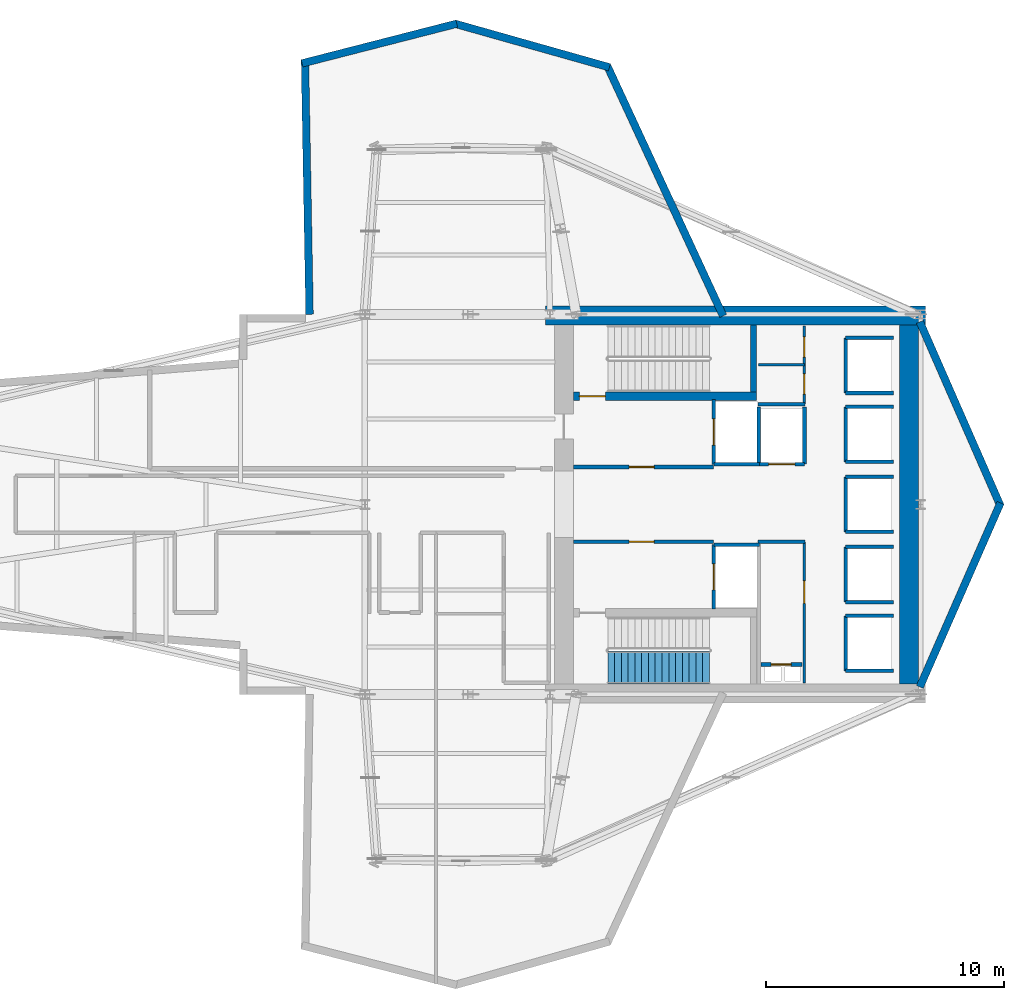
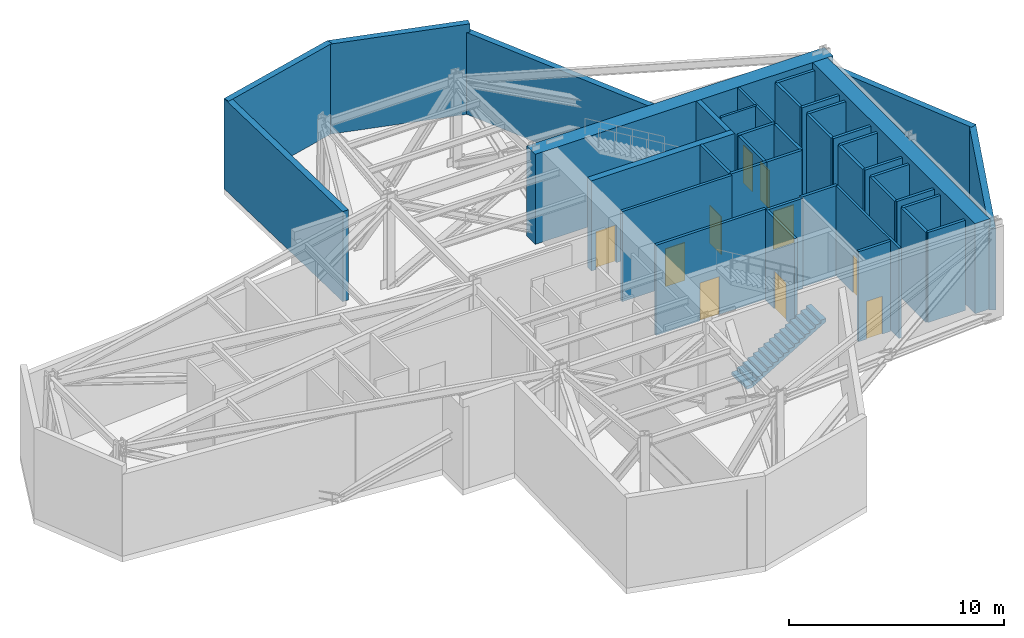
# One storey, part 4 of 6: 40 walls, 10 doors, 1 stair flight, 10 openings, 1 element without a shape of its own.
"""IFC4 building model written with IfcOpenShell, lengths in metres."""

import ifcopenshell
import ifcopenshell.guid

model = None  # the IFC model being written
_history = None  # IfcOwnerHistory: only IFC2X3 demands one
_inside = {}  # id of a spatial element -> (the spatial element, [elements in it])
_under = {}  # id of a project, library or spatial element -> (it, [spatial elements below it])
_declared = {}  # id of a project -> (the project, [libraries it declares])
_typed = {}  # id of a type object -> (the type object, [elements of that type])
_made_of = {}  # id of a material, layer set ... -> (it, [elements and type objects made of it])


def new_model(schema):
    """Start an empty IFC model of exactly this schema.

    Asked for "IFC4X3", IfcOpenShell would pick the latest addendum, in which some entities
    have other attributes; the version numbers below select the first issue.
    IFC2X3 requires an IfcOwnerHistory on every rooted entity: one is made here for all.
    """
    global model, _history
    if schema == "IFC4X3":
        model = ifcopenshell.file(schema_version=(4, 3, 0, 0))
    else:
        model = ifcopenshell.file(schema=schema)
    _inside.clear()
    _under.clear()
    _declared.clear()
    _typed.clear()
    _made_of.clear()
    _history = None
    if model.schema == "IFC2X3":
        org = make("IfcOrganization", Name="unknown")
        user = make(
            "IfcPersonAndOrganization",
            ThePerson=make("IfcPerson", FamilyName="unknown"),
            TheOrganization=org,
        )
        app = make(
            "IfcApplication",
            ApplicationDeveloper=org,
            Version="unknown",
            ApplicationFullName="unknown",
            ApplicationIdentifier="unknown",
        )
        _history = make(
            "IfcOwnerHistory",
            OwningUser=user,
            OwningApplication=app,
            ChangeAction="ADDED",
            CreationDate=0,
        )
    return model


def make(cls, **values):
    """One entity of the class cls with the attributes given. An attribute that is None is left unset."""
    return model.create_entity(
        cls, **{name: value for name, value in values.items() if value is not None}
    )


def rooted(cls, **values):
    """An entity with a GlobalId (a new one), such as an element, a storey or a relation."""
    return make(cls, GlobalId=ifcopenshell.guid.new(), OwnerHistory=_history, **values)


def si_unit(unit_type, name, prefix=None):
    """IfcSIUnit, for example si_unit("LENGTHUNIT", "METRE", prefix="MILLI")."""
    return make("IfcSIUnit", UnitType=unit_type, Prefix=prefix, Name=name)


def assignment(units):
    """IfcUnitAssignment: the units of a project."""
    return None if units is None else make("IfcUnitAssignment", Units=units)


def point(xyz):
    """IfcCartesianPoint."""
    return None if xyz is None else make("IfcCartesianPoint", Coordinates=xyz)


def direction(xyz):
    """IfcDirection."""
    return None if xyz is None else make("IfcDirection", DirectionRatios=xyz)


def frame(location, z_axis=None, x_axis=None):
    """IfcAxis2Placement3D, a coordinate frame: its origin and axes. An axis left out is left unset."""
    return make(
        "IfcAxis2Placement3D",
        Location=point(location),
        Axis=direction(z_axis),
        RefDirection=direction(x_axis),
    )


def frame_2d(location, x_axis=None):
    """IfcAxis2Placement2D, a coordinate frame in the plane: its origin and x axis."""
    return make(
        "IfcAxis2Placement2D", Location=point(location), RefDirection=direction(x_axis)
    )


def origin():
    """The frame at (0, 0, 0) with its axes left unset."""
    return frame((0.0, 0.0, 0.0))


def place(relative_to, where):
    """IfcLocalPlacement: puts the frame where relative to a parent placement (None: the world)."""
    return make(
        "IfcLocalPlacement", PlacementRelTo=relative_to, RelativePlacement=where
    )


def context(
    kind, dimensions, precision=None, world=None, true_north=None, identifier=None
):
    """IfcGeometricRepresentationContext, for example the 3D "Model" context."""
    return make(
        "IfcGeometricRepresentationContext",
        ContextIdentifier=identifier,
        ContextType=kind,
        CoordinateSpaceDimension=dimensions,
        Precision=precision,
        WorldCoordinateSystem=world,
        TrueNorth=true_north,
    )


def subcontext(parent, identifier, kind, view, scale=None):
    """IfcGeometricRepresentationSubContext, for example "Body" below "Model"."""
    return make(
        "IfcGeometricRepresentationSubContext",
        ContextIdentifier=identifier,
        ContextType=kind,
        ParentContext=parent,
        TargetScale=scale,
        TargetView=view,
    )


def project(units=None, contexts=None):
    """IfcProject with its units and contexts."""
    return rooted(
        "IfcProject",
        Name="project",
        RepresentationContexts=contexts,
        UnitsInContext=assignment(units),
    )


def spatial(cls, under=None, at=None, **own):
    """A site, building, storey or space (cls), placed at a placement, below another one or the project."""
    s = rooted(cls, ObjectPlacement=at, **own)
    if under is not None:
        _under.setdefault(under.id(), (under, []))[1].append(s)
    return s


def polyline(points):
    """IfcPolyline through the points."""
    return make("IfcPolyline", Points=[point(p) for p in points])


def profile(cls, at=None, kind="AREA", **sizes):
    """A parametric profile (cls). Its sizes go by their IFC names, for example OverallWidth=200.0."""
    return make(cls, ProfileType=kind, Position=at, **sizes)


def rectangle(**sizes):
    """IfcRectangleProfileDef."""
    return profile("IfcRectangleProfileDef", **sizes)


def outline(outer, holes=None, kind="AREA"):
    """IfcArbitraryClosedProfileDef: a profile drawn as a closed curve; with holes, ...WithVoids."""
    if holes is None:
        return make("IfcArbitraryClosedProfileDef", ProfileType=kind, OuterCurve=outer)
    return make(
        "IfcArbitraryProfileDefWithVoids",
        ProfileType=kind,
        OuterCurve=outer,
        InnerCurves=holes,
    )


def extrude(swept, where, along, depth):
    """IfcExtrudedAreaSolid: the profile swept, set in the frame where, extruded along a direction by depth."""
    return make(
        "IfcExtrudedAreaSolid",
        SweptArea=swept,
        Position=where,
        ExtrudedDirection=direction(along),
        Depth=depth,
    )


def shape(context_of_items, identifier, shape_type, items):
    """IfcShapeRepresentation: the items that make up one representation, for example the "Body"."""
    return make(
        "IfcShapeRepresentation",
        ContextOfItems=context_of_items,
        RepresentationIdentifier=identifier,
        RepresentationType=shape_type,
        Items=items,
    )


def material(Name=None, Category=None):
    """IfcMaterial."""
    return make("IfcMaterial", Name=Name, Category=Category)


def layer(
    of_material, thickness, ventilated=None, Name=None, Category=None, Priority=None
):
    """IfcMaterialLayer: one layer of a wall or slab, of a material (None: an air gap)."""
    return make(
        "IfcMaterialLayer",
        Material=of_material,
        LayerThickness=thickness,
        IsVentilated=ventilated,
        Name=Name,
        Category=Category,
        Priority=Priority,
    )


def layer_set(layers, Name=None):
    """IfcMaterialLayerSet."""
    return make("IfcMaterialLayerSet", MaterialLayers=layers, LayerSetName=Name)


def made_of(thing, what):
    """Note that an element or type object is made of a material, layer set ...; save() writes the relation."""
    if what is not None:
        _made_of.setdefault(what.id(), (what, []))[1].append(thing)
    return thing


def type_object(cls, material=None, **own):
    """A type object (cls), such as IfcWallType, which elements share."""
    return made_of(rooted(cls, **own), material)


def element(
    cls,
    number,
    at=None,
    inside=None,
    cuts=None,
    type_object=None,
    material=None,
    context=None,
    identifier="Body",
    shape_type=None,
    held_by="IfcProductDefinitionShape",
    body=None,
    shapes=None,
    **own,
):
    """One element of the class cls, such as IfcWall. Its Tag is "e" and its number.

    at: its placement. inside: the storey or other place that contains it. cuts: it is an
    opening in that element (IfcRelVoidsElement). A single representation is given by context,
    identifier, shape_type and body (its items); several are given by shapes. held_by: the class
    of the entity that holds the representations. save() writes the other relations.
    """
    e = rooted(cls, Tag="e%d" % number, ObjectPlacement=at, **own)
    if body is not None:
        shapes = [shape(context, identifier, shape_type, body)]
    if shapes is not None:
        e.Representation = make(held_by, Representations=shapes)
    if inside is not None:
        _inside.setdefault(inside.id(), (inside, []))[1].append(e)
    if cuts is not None:
        rooted(
            "IfcRelVoidsElement", RelatingBuildingElement=cuts, RelatedOpeningElement=e
        )
    if type_object is not None:
        _typed.setdefault(type_object.id(), (type_object, []))[1].append(e)
    return made_of(e, material)


def fill(opening, filler):
    """IfcRelFillsElement: the door or window that sits in an opening."""
    return rooted(
        "IfcRelFillsElement",
        RelatingOpeningElement=opening,
        RelatedBuildingElement=filler,
    )


def aggregate(whole, parts):
    """IfcRelAggregates: a whole, such as a stair, and the parts it consists of."""
    return rooted("IfcRelAggregates", RelatingObject=whole, RelatedObjects=parts)


def save(model, path):
    """Write the relations noted so far, then the file.

    IfcRelAggregates (storeys below a building ...), IfcRelContainedInSpatialStructure (elements
    in a storey), IfcRelDefinesByType, IfcRelAssociatesMaterial and IfcRelDeclares: one each for
    every whole, place, type object, material and project.
    """
    for whole, parts in _under.values():
        aggregate(whole, parts)
    for where, things in _inside.values():
        rooted(
            "IfcRelContainedInSpatialStructure",
            RelatedElements=things,
            RelatingStructure=where,
        )
    for kind, things in _typed.values():
        rooted("IfcRelDefinesByType", RelatedObjects=things, RelatingType=kind)
    for what, things in _made_of.values():
        rooted("IfcRelAssociatesMaterial", RelatedObjects=things, RelatingMaterial=what)
    for by, libraries in _declared.values():
        rooted("IfcRelDeclares", RelatingContext=by, RelatedDefinitions=libraries)
    model.write(path)


model = new_model("IFC4")

# Units and contexts
model_context = context("Model", 3, precision=1e-05, world=origin(), true_north=direction((0.0, 1.0)))
body_context = subcontext(model_context, "Body", "Model", "MODEL_VIEW")
ifc_project = project(units=[si_unit("LENGTHUNIT", "METRE"), si_unit("AREAUNIT", "SQUARE_METRE"), si_unit("VOLUMEUNIT", "CUBIC_METRE"), si_unit("PLANEANGLEUNIT", "RADIAN"), si_unit("MASSUNIT", "GRAM", prefix="KILO")], contexts=[model_context])

# Site, building, storey
site_placement = place(None, origin())
site = spatial("IfcSite", under=ifc_project, at=site_placement, CompositionType="ELEMENT")
building_placement = place(site_placement, origin())
building = spatial("IfcBuilding", under=site, at=building_placement, Name="Veymaron Broadcast Tower", CompositionType="ELEMENT")
storey_placement = place(building_placement, frame((0.0, 0.0, 106.64990234375)))
storey = spatial("IfcBuildingStorey", under=building, at=storey_placement, Name="L24", CompositionType="ELEMENT", Elevation=106.64990234375)

# Walls
ifc_material_1 = material(Name="Precast concrete C40/50", Category="concrete")
ifc_layer_1 = layer(ifc_material_1, 0.320068359375)
ifc_layer_set_1 = layer_set([ifc_layer_1], Name="Precast concrete C40/50")
wall_type_1 = type_object("IfcWallType", Name="WALL-EXT-320", PredefinedType="STANDARD", material=ifc_layer_set_1)
for number, where, z_axis, x_axis, name in (
    (1, (54.56396484375, 16.316162109375, 0.0), (0.0, 0.0, 1.0), (0.401484847978, 0.915865665283, 0.0), "L24 mechanical belt-truss facade band 2-1"),
    (2, (57.96044921875, 23.935791015625, 0.0), (0.0, 0.0, 1.0), (-0.401484847978, 0.915865665283, 0.0), "L24 mechanical belt-truss facade band 3-1"),
):
    element("IfcWall", number, at=place(storey_placement, frame(where, z_axis=z_axis, x_axis=x_axis)), inside=storey, type_object=wall_type_1, Name=name, PredefinedType="STANDARD", context=body_context, shape_type="SweptSolid", body=[
        extrude(rectangle(XDim=8.459716796875, YDim=0.320068359375, at=frame_2d((4.22998046875, 0.0))), origin(), (0.0, 0.0, 1.0), 4.648193359375),
    ])
wall_1_placement = place(storey_placement, frame((46.2841796875, 31.932861328125, 0.0), z_axis=(0.0, 0.0, 1.0), x_axis=(-0.420271770487, 0.907398280212, 0.0)))
element("IfcWall", 3, at=wall_1_placement, inside=storey, type_object=wall_type_1, Name="L24 mechanical belt-truss facade band 5-1", PredefinedType="STANDARD", context=body_context, shape_type="SweptSolid", body=[
    extrude(rectangle(XDim=11.631103515625, YDim=0.320068359375, at=frame_2d((5.8154296875, 0.0))), origin(), (0.0, 0.0, 1.0), 4.648193359375),
])
wall_2_placement = place(storey_placement, frame((41.497802734375, 42.39990234375, 0.0), z_axis=(0.0, 0.0, 1.0), x_axis=(-0.962413642038, 0.27158788931, 0.0)))
element("IfcWall", 4, at=wall_2_placement, inside=storey, type_object=wall_type_1, Name="L24 mechanical belt-truss facade band 6-1", PredefinedType="STANDARD", context=body_context, shape_type="SweptSolid", body=[
    extrude(rectangle(XDim=6.764404296875, YDim=0.320068359375, at=frame_2d((3.38232421875, 0.0))), origin(), (0.0, 0.0, 1.0), 5.1201171875),
])
wall_3_placement = place(storey_placement, frame((35.07080078125, 44.236083984375, 0.0), z_axis=(0.0, 0.0, 1.0), x_axis=(-0.968632710221, -0.248496826319, 0.0)))
element("IfcWall", 5, at=wall_3_placement, inside=storey, type_object=wall_type_1, Name="L24 mechanical belt-truss facade band 7-1", PredefinedType="STANDARD", context=body_context, shape_type="SweptSolid", body=[
    extrude(rectangle(XDim=6.72119140625, YDim=0.320068359375, at=frame_2d((3.360595703125, 0.0))), origin(), (0.0, 0.0, 1.0), 5.1201171875),
])
wall_4_placement = place(storey_placement, frame((28.6806640625, 42.723876953125, 0.0), z_axis=(0.0, 0.0, 1.0), x_axis=(0.017987206329, -0.999838217117, 0.0)))
element("IfcWall", 6, at=wall_4_placement, inside=storey, type_object=wall_type_1, Name="L24 mechanical belt-truss facade band 8-1", PredefinedType="STANDARD", context=body_context, shape_type="SweptSolid", body=[
    extrude(rectangle(XDim=10.72265625, YDim=0.320068359375, at=frame_2d((5.361328125, 0.0))), origin(), (0.0, 0.0, 1.0), 5.1201171875),
])

# Wall, opening, door
ifc_material_2 = material(Name="Gypsum fireboard and steel stud framing", Category="steel")
ifc_layer_2 = layer(ifc_material_2, 0.14990234375)
ifc_layer_set_2 = layer_set([ifc_layer_2], Name="Gypsum fireboard and steel stud framing")
wall_type_2 = type_object("IfcWallType", Name="WALL-FIRE-150", PredefinedType="PARTITIONING", material=ifc_layer_set_2)
wall_5_placement = place(storey_placement, frame((39.97998046875, 25.574951171875, 0.0), z_axis=(0.0, 0.0, 1.0), x_axis=(1.0, 0.0, 0.0)))
wall_5 = element("IfcWall", 7, at=wall_5_placement, inside=storey, type_object=wall_type_2, Name="L24 partition IW-L24-FFLN-S", PredefinedType="PARTITIONING", context=body_context, shape_type="SweptSolid", body=[
    extrude(rectangle(XDim=5.89990234375, YDim=0.14990234375, at=frame_2d((2.949951171875, 0.0))), origin(), (0.0, 0.0, 1.0), 5.1201171875),
])
opening_1_placement = place(wall_5_placement, frame((2.35009765625, 0.0, 0.0)))
opening_1 = element("IfcOpeningElement", 8, at=opening_1_placement, cuts=wall_5, Name="Opening ID-FL1", PredefinedType="OPENING", context=body_context, shape_type="SweptSolid", body=[
    extrude(rectangle(XDim=1.050048828125, YDim=2.14990234375, at=frame_2d((0.52490234375, 1.074951171875))), frame((0.0, 0.0849609375, 0.0), z_axis=(0.0, -1.0, 0.0), x_axis=(1.0, 0.0, 0.0)), (0.0, 0.0, 1.0), 0.169921875),
])
ifc_material_3 = material(Name="Fire-rated painted hollow steel ASTM A653", Category="steel")
door_type_1 = type_object("IfcDoorType", Name="DOOR-FIRE-1050", OperationType="NOTDEFINED", PredefinedType="DOOR", material=ifc_material_3)
door_1_placement = place(opening_1_placement, origin())
door_1 = element("IfcDoor", 9, at=door_1_placement, inside=storey, type_object=door_type_1, Name="L24 door DR-L24-FFLN", OperationType="SINGLE_SWING_LEFT", OverallHeight=2.14990234375, OverallWidth=1.050048828125, PredefinedType="DOOR", context=body_context, shape_type="SweptSolid", body=[
    extrude(rectangle(XDim=1.050048828125, YDim=2.14990234375, at=frame_2d((0.52490234375, 1.074951171875))), frame((0.0, 0.02490234375, 0.0), z_axis=(0.0, -1.0, 0.0), x_axis=(1.0, 0.0, 0.0)), (0.0, 0.0, 1.0), 0.050048828125),
])
fill(opening_1, door_1)

wall_6_placement = place(storey_placement, frame((39.97998046875, 22.425048828125, 0.0), z_axis=(0.0, 0.0, 1.0), x_axis=(1.0, 0.0, 0.0)))
wall_6 = element("IfcWall", 10, at=wall_6_placement, inside=storey, type_object=wall_type_2, Name="L24 partition IW-L24-FFLS-N", PredefinedType="PARTITIONING", context=body_context, shape_type="SweptSolid", body=[
    extrude(rectangle(XDim=5.89990234375, YDim=0.14990234375, at=frame_2d((2.949951171875, 0.0))), origin(), (0.0, 0.0, 1.0), 5.1201171875),
])
opening_2_placement = place(wall_6_placement, frame((2.35009765625, 0.0, 0.0)))
opening_2 = element("IfcOpeningElement", 11, at=opening_2_placement, cuts=wall_6, Name="Opening ID-FL1", PredefinedType="OPENING", context=body_context, shape_type="SweptSolid", body=[
    extrude(rectangle(XDim=1.050048828125, YDim=2.14990234375, at=frame_2d((0.52490234375, 1.074951171875))), frame((0.0, 0.0849609375, 0.0), z_axis=(0.0, -1.0, 0.0), x_axis=(1.0, 0.0, 0.0)), (0.0, 0.0, 1.0), 0.169921875),
])
door_2_placement = place(opening_2_placement, frame((1.050048828125, 0.0, 0.0), z_axis=(0.0, 0.0, 1.0), x_axis=(-1.0, 0.0, 0.0)))
door_2 = element("IfcDoor", 12, at=door_2_placement, inside=storey, type_object=door_type_1, Name="L24 door DR-L24-FFLS", OperationType="SINGLE_SWING_RIGHT", OverallHeight=2.14990234375, OverallWidth=1.050048828125, PredefinedType="DOOR", context=body_context, shape_type="SweptSolid", body=[
    extrude(rectangle(XDim=1.050048828125, YDim=2.14990234375, at=frame_2d((0.52490234375, 1.074951171875))), frame((0.0, 0.02490234375, 0.0), z_axis=(0.0, -1.0, 0.0), x_axis=(1.0, 0.0, 0.0)), (0.0, 0.0, 1.0), 0.050048828125),
])
fill(opening_2, door_2)

wall_7_placement = place(storey_placement, frame((45.89501953125, 25.68994140625, 0.0), z_axis=(0.0, 0.0, 1.0), x_axis=(0.0, 1.0, 0.0)))
wall_7 = element("IfcWall", 13, at=wall_7_placement, inside=storey, type_object=wall_type_2, Name="L24 partition IW-L24-SHW-FFL-1", PredefinedType="PARTITIONING", context=body_context, shape_type="SweptSolid", body=[
    extrude(rectangle(XDim=2.719970703125, YDim=0.14990234375, at=frame_2d((1.35986328125, 0.0))), origin(), (0.0, 0.0, 1.0), 5.1201171875),
])
opening_3_placement = place(wall_7_placement, frame((0.81005859375, 0.0, 0.0)))
opening_3 = element("IfcOpeningElement", 14, at=opening_3_placement, cuts=wall_7, Name="Opening LD", PredefinedType="OPENING", context=body_context, shape_type="SweptSolid", body=[
    extrude(rectangle(XDim=1.10009765625, YDim=2.14990234375, at=frame_2d((0.550048828125, 1.074951171875))), frame((0.0, 0.0849609375, 0.0), z_axis=(0.0, -1.0, 0.0), x_axis=(1.0, 0.0, 0.0)), (0.0, 0.0, 1.0), 0.169921875),
])
ifc_material_4 = material(Name="Brushed stainless steel AISI 304", Category="steel")
door_type_2 = type_object("IfcDoorType", Name="DOOR-LIFT-1100", OperationType="DOUBLE_DOOR_SLIDING", PredefinedType="DOOR", material=ifc_material_4)
door_3_placement = place(opening_3_placement, frame((1.10009765625, 0.0, 0.0), z_axis=(0.0, 0.0, 1.0), x_axis=(-1.0, 0.0, 0.0)))
door_3 = element("IfcDoor", 15, at=door_3_placement, inside=storey, type_object=door_type_2, Name="L24 door LD-L24-FFL-1", OperationType="DOUBLE_DOOR_SLIDING", OverallHeight=2.14990234375, OverallWidth=1.10009765625, PredefinedType="DOOR", context=body_context, shape_type="SweptSolid", body=[
    extrude(rectangle(XDim=1.10009765625, YDim=2.14990234375, at=frame_2d((0.550048828125, 1.074951171875))), frame((0.0, 0.02490234375, 0.0), z_axis=(0.0, -1.0, 0.0), x_axis=(1.0, 0.0, 0.0)), (0.0, 0.0, 1.0), 0.050048828125),
])
fill(opening_3, door_3)

# Wall
wall_8_placement = place(storey_placement, frame((45.89501953125, 25.68994140625, 0.0), z_axis=(0.0, 0.0, 1.0), x_axis=(1.0, 0.0, 0.0)))
element("IfcWall", 16, at=wall_8_placement, inside=storey, type_object=wall_type_2, Name="L24 partition IW-L24-SHS-FFL-1", PredefinedType="PARTITIONING", context=body_context, shape_type="SweptSolid", body=[
    extrude(rectangle(XDim=1.9150390625, YDim=0.14990234375, at=frame_2d((0.95751953125, 0.0))), origin(), (0.0, 0.0, 1.0), 5.1201171875),
])

# Wall, opening, door
wall_9_placement = place(storey_placement, frame((45.89501953125, 19.590087890625, 0.0), z_axis=(0.0, 0.0, 1.0), x_axis=(0.0, 1.0, 0.0)))
wall_9 = element("IfcWall", 17, at=wall_9_placement, inside=storey, type_object=wall_type_2, Name="L24 partition IW-L24-SHW-FFL-2", PredefinedType="PARTITIONING", context=body_context, shape_type="SweptSolid", body=[
    extrude(rectangle(XDim=2.719970703125, YDim=0.14990234375, at=frame_2d((1.35986328125, 0.0))), origin(), (0.0, 0.0, 1.0), 5.1201171875),
])
opening_4_placement = place(wall_9_placement, frame((0.81005859375, 0.0, 0.0)))
opening_4 = element("IfcOpeningElement", 18, at=opening_4_placement, cuts=wall_9, Name="Opening LD", PredefinedType="OPENING", context=body_context, shape_type="SweptSolid", body=[
    extrude(rectangle(XDim=1.10009765625, YDim=2.14990234375, at=frame_2d((0.550048828125, 1.074951171875))), frame((0.0, 0.0849609375, 0.0), z_axis=(0.0, -1.0, 0.0), x_axis=(1.0, 0.0, 0.0)), (0.0, 0.0, 1.0), 0.169921875),
])
door_4_placement = place(opening_4_placement, frame((1.10009765625, 0.0, 0.0), z_axis=(0.0, 0.0, 1.0), x_axis=(-1.0, 0.0, 0.0)))
door_4 = element("IfcDoor", 19, at=door_4_placement, inside=storey, type_object=door_type_2, Name="L24 door LD-L24-FFL-2", OperationType="DOUBLE_DOOR_SLIDING", OverallHeight=2.14990234375, OverallWidth=1.10009765625, PredefinedType="DOOR", context=body_context, shape_type="SweptSolid", body=[
    extrude(rectangle(XDim=1.10009765625, YDim=2.14990234375, at=frame_2d((0.550048828125, 1.074951171875))), frame((0.0, 0.02490234375, 0.0), z_axis=(0.0, -1.0, 0.0), x_axis=(1.0, 0.0, 0.0)), (0.0, 0.0, 1.0), 0.050048828125),
])
fill(opening_4, door_4)

# Wall
wall_10_placement = place(storey_placement, frame((45.89501953125, 22.31005859375, 0.0), z_axis=(0.0, 0.0, 1.0), x_axis=(1.0, 0.0, 0.0)))
element("IfcWall", 20, at=wall_10_placement, inside=storey, type_object=wall_type_2, Name="L24 partition IW-L24-SHN-FFL-2", PredefinedType="PARTITIONING", context=body_context, shape_type="SweptSolid", body=[
    extrude(rectangle(XDim=1.9150390625, YDim=0.14990234375, at=frame_2d((0.95751953125, 0.0))), origin(), (0.0, 0.0, 1.0), 5.1201171875),
])

# Wall, opening, door
wall_11_placement = place(storey_placement, frame((47.7900390625, 25.695068359375, 0.0), z_axis=(0.0, 0.0, 1.0), x_axis=(1.0, 0.0, 0.0)))
wall_11 = element("IfcWall", 21, at=wall_11_placement, inside=storey, type_object=wall_type_2, Name="L24 partition IW-L24-SHS-SL-1", PredefinedType="PARTITIONING", context=body_context, shape_type="SweptSolid", body=[
    extrude(rectangle(XDim=1.919921875, YDim=0.14990234375, at=frame_2d((0.9599609375, 0.0))), origin(), (0.0, 0.0, 1.0), 5.1201171875),
])
opening_5_placement = place(wall_11_placement, frame((0.409912109375, 0.0, 0.0)))
opening_5 = element("IfcOpeningElement", 22, at=opening_5_placement, cuts=wall_11, Name="Opening LD", PredefinedType="OPENING", context=body_context, shape_type="SweptSolid", body=[
    extrude(rectangle(XDim=1.10009765625, YDim=2.14990234375, at=frame_2d((0.550048828125, 1.074951171875))), frame((0.0, 0.0849609375, 0.0), z_axis=(0.0, -1.0, 0.0), x_axis=(1.0, 0.0, 0.0)), (0.0, 0.0, 1.0), 0.169921875),
])
door_5_placement = place(opening_5_placement, frame((1.10009765625, 0.0, 0.0), z_axis=(0.0, 0.0, 1.0), x_axis=(-1.0, 0.0, 0.0)))
door_5 = element("IfcDoor", 23, at=door_5_placement, inside=storey, type_object=door_type_2, Name="L24 door LD-L24-SL-1", OperationType="DOUBLE_DOOR_SLIDING", OverallHeight=2.14990234375, OverallWidth=1.10009765625, PredefinedType="DOOR", context=body_context, shape_type="SweptSolid", body=[
    extrude(rectangle(XDim=1.10009765625, YDim=2.14990234375, at=frame_2d((0.550048828125, 1.074951171875))), frame((0.0, 0.02490234375, 0.0), z_axis=(0.0, -1.0, 0.0), x_axis=(1.0, 0.0, 0.0)), (0.0, 0.0, 1.0), 0.050048828125),
])
fill(opening_5, door_5)

# Walls
for number, where, z_axis, x_axis, name in (
    (24, (47.7900390625, 25.695068359375, 0.0), (0.0, 0.0, 1.0), (0.0, 1.0, 0.0), "L24 partition IW-L24-SHW-SL-1"),
    (25, (49.7099609375, 25.695068359375, 0.0), (0.0, 0.0, 1.0), (0.0, 1.0, 0.0), "L24 partition IW-L24-SHE-SL-1"),
):
    element("IfcWall", number, at=place(storey_placement, frame(where, z_axis=z_axis, x_axis=x_axis)), inside=storey, type_object=wall_type_2, Name=name, PredefinedType="PARTITIONING", context=body_context, shape_type="SweptSolid", body=[
        extrude(rectangle(XDim=2.4150390625, YDim=0.14990234375, at=frame_2d((1.20751953125, 0.0))), origin(), (0.0, 0.0, 1.0), 5.1201171875),
    ])
wall_12_placement = place(storey_placement, frame((51.445068359375, 28.68994140625, 0.0), z_axis=(0.0, 0.0, 1.0), x_axis=(0.0, 1.0, 0.0)))
element("IfcWall", 26, at=wall_12_placement, inside=storey, type_object=wall_type_2, Name="L24 partition IW-L24-SHW-PL1", PredefinedType="PARTITIONING", context=body_context, shape_type="SweptSolid", body=[
    extrude(rectangle(XDim=2.320068359375, YDim=0.14990234375, at=frame_2d((1.16015625, 0.0))), origin(), (0.0, 0.0, 1.0), 5.1201171875),
])
for number, where, z_axis, x_axis, name in (
    (27, (51.445068359375, 28.68994140625, 0.0), (0.0, 0.0, 1.0), (1.0, 0.0, 0.0), "L24 partition IW-L24-SHS-PL1"),
    (28, (51.445068359375, 31.010009765625, 0.0), (0.0, 0.0, 1.0), (1.0, 0.0, 0.0), "L24 partition IW-L24-SHN-PL1"),
):
    element("IfcWall", number, at=place(storey_placement, frame(where, z_axis=z_axis, x_axis=x_axis)), inside=storey, type_object=wall_type_2, Name=name, PredefinedType="PARTITIONING", context=body_context, shape_type="SweptSolid", body=[
        extrude(rectangle(XDim=2.014892578125, YDim=0.14990234375, at=frame_2d((1.00732421875, 0.0))), origin(), (0.0, 0.0, 1.0), 5.1201171875),
    ])
wall_13_placement = place(storey_placement, frame((51.445068359375, 25.7900390625, 0.0), z_axis=(0.0, 0.0, 1.0), x_axis=(0.0, 1.0, 0.0)))
element("IfcWall", 29, at=wall_13_placement, inside=storey, type_object=wall_type_2, Name="L24 partition IW-L24-SHW-PM1", PredefinedType="PARTITIONING", context=body_context, shape_type="SweptSolid", body=[
    extrude(rectangle(XDim=2.320068359375, YDim=0.14990234375, at=frame_2d((1.16015625, 0.0))), origin(), (0.0, 0.0, 1.0), 5.1201171875),
])
for number, where, z_axis, x_axis, name in (
    (30, (51.445068359375, 25.7900390625, 0.0), (0.0, 0.0, 1.0), (1.0, 0.0, 0.0), "L24 partition IW-L24-SHS-PM1"),
    (31, (51.445068359375, 28.110107421875, 0.0), (0.0, 0.0, 1.0), (1.0, 0.0, 0.0), "L24 partition IW-L24-SHN-PM1"),
):
    element("IfcWall", number, at=place(storey_placement, frame(where, z_axis=z_axis, x_axis=x_axis)), inside=storey, type_object=wall_type_2, Name=name, PredefinedType="PARTITIONING", context=body_context, shape_type="SweptSolid", body=[
        extrude(rectangle(XDim=2.014892578125, YDim=0.14990234375, at=frame_2d((1.00732421875, 0.0))), origin(), (0.0, 0.0, 1.0), 5.1201171875),
    ])
wall_14_placement = place(storey_placement, frame((51.445068359375, 19.889892578125, 0.0), z_axis=(0.0, 0.0, 1.0), x_axis=(0.0, 1.0, 0.0)))
element("IfcWall", 32, at=wall_14_placement, inside=storey, type_object=wall_type_2, Name="L24 partition IW-L24-SHW-PM2", PredefinedType="PARTITIONING", context=body_context, shape_type="SweptSolid", body=[
    extrude(rectangle(XDim=2.320068359375, YDim=0.14990234375, at=frame_2d((1.16015625, 0.0))), origin(), (0.0, 0.0, 1.0), 5.1201171875),
])
for number, where, z_axis, x_axis, name in (
    (33, (51.445068359375, 19.889892578125, 0.0), (0.0, 0.0, 1.0), (1.0, 0.0, 0.0), "L24 partition IW-L24-SHS-PM2"),
    (34, (51.445068359375, 22.2099609375, 0.0), (0.0, 0.0, 1.0), (1.0, 0.0, 0.0), "L24 partition IW-L24-SHN-PM2"),
):
    element("IfcWall", number, at=place(storey_placement, frame(where, z_axis=z_axis, x_axis=x_axis)), inside=storey, type_object=wall_type_2, Name=name, PredefinedType="PARTITIONING", context=body_context, shape_type="SweptSolid", body=[
        extrude(rectangle(XDim=2.014892578125, YDim=0.14990234375, at=frame_2d((1.00732421875, 0.0))), origin(), (0.0, 0.0, 1.0), 5.1201171875),
    ])
wall_15_placement = place(storey_placement, frame((51.445068359375, 22.840087890625, 0.0), z_axis=(0.0, 0.0, 1.0), x_axis=(0.0, 1.0, 0.0)))
element("IfcWall", 35, at=wall_15_placement, inside=storey, type_object=wall_type_2, Name="L24 partition IW-L24-SHW-PM3", PredefinedType="PARTITIONING", context=body_context, shape_type="SweptSolid", body=[
    extrude(rectangle(XDim=2.31982421875, YDim=0.14990234375, at=frame_2d((1.159912109375, 0.0))), origin(), (0.0, 0.0, 1.0), 5.1201171875),
])
for number, where, z_axis, x_axis, name in (
    (36, (51.445068359375, 22.840087890625, 0.0), (0.0, 0.0, 1.0), (1.0, 0.0, 0.0), "L24 partition IW-L24-SHS-PM3"),
    (37, (51.445068359375, 25.159912109375, 0.0), (0.0, 0.0, 1.0), (1.0, 0.0, 0.0), "L24 partition IW-L24-SHN-PM3"),
):
    element("IfcWall", number, at=place(storey_placement, frame(where, z_axis=z_axis, x_axis=x_axis)), inside=storey, type_object=wall_type_2, Name=name, PredefinedType="PARTITIONING", context=body_context, shape_type="SweptSolid", body=[
        extrude(rectangle(XDim=2.014892578125, YDim=0.14990234375, at=frame_2d((1.00732421875, 0.0))), origin(), (0.0, 0.0, 1.0), 5.1201171875),
    ])
wall_16_placement = place(storey_placement, frame((51.445068359375, 16.989990234375, 0.0), z_axis=(0.0, 0.0, 1.0), x_axis=(0.0, 1.0, 0.0)))
element("IfcWall", 38, at=wall_16_placement, inside=storey, type_object=wall_type_2, Name="L24 partition IW-L24-SHW-PH1", PredefinedType="PARTITIONING", context=body_context, shape_type="SweptSolid", body=[
    extrude(rectangle(XDim=2.320068359375, YDim=0.14990234375, at=frame_2d((1.16015625, 0.0))), origin(), (0.0, 0.0, 1.0), 5.1201171875),
])
for number, where, z_axis, x_axis, name in (
    (39, (51.445068359375, 16.989990234375, 0.0), (0.0, 0.0, 1.0), (1.0, 0.0, 0.0), "L24 partition IW-L24-SHS-PH1"),
    (40, (51.445068359375, 19.31005859375, 0.0), (0.0, 0.0, 1.0), (1.0, 0.0, 0.0), "L24 partition IW-L24-SHN-PH1"),
):
    element("IfcWall", number, at=place(storey_placement, frame(where, z_axis=z_axis, x_axis=x_axis)), inside=storey, type_object=wall_type_2, Name=name, PredefinedType="PARTITIONING", context=body_context, shape_type="SweptSolid", body=[
        extrude(rectangle(XDim=2.014892578125, YDim=0.14990234375, at=frame_2d((1.00732421875, 0.0))), origin(), (0.0, 0.0, 1.0), 5.1201171875),
    ])

# Wall, opening, door
wall_17_placement = place(storey_placement, frame((47.8798828125, 17.260009765625, 0.0), z_axis=(0.0, 0.0, 1.0), x_axis=(1.0, 0.0, 0.0)))
wall_17 = element("IfcWall", 41, at=wall_17_placement, inside=storey, type_object=wall_type_2, Name="L24 partition IW-L24-RIS-N", PredefinedType="PARTITIONING", context=body_context, shape_type="SweptSolid", body=[
    extrude(rectangle(XDim=1.72021484375, YDim=0.14990234375, at=frame_2d((0.860107421875, 0.0))), origin(), (0.0, 0.0, 1.0), 5.1201171875),
])
opening_6_placement = place(wall_17_placement, frame((0.419921875, 0.0, 0.0)))
opening_6 = element("IfcOpeningElement", 42, at=opening_6_placement, cuts=wall_17, Name="Opening ID-RS1", PredefinedType="OPENING", context=body_context, shape_type="SweptSolid", body=[
    extrude(rectangle(XDim=0.85009765625, YDim=2.14990234375, at=frame_2d((0.425048828125, 1.074951171875))), frame((0.0, 0.0849609375, 0.0), z_axis=(0.0, -1.0, 0.0), x_axis=(1.0, 0.0, 0.0)), (0.0, 0.0, 1.0), 0.169921875),
])
ifc_material_5 = material(Name="Fire-rated powder-coated steel riser leaf", Category="steel")
door_type_3 = type_object("IfcDoorType", Name="DOOR-RIS-850", OperationType="NOTDEFINED", PredefinedType="TRAPDOOR", material=ifc_material_5)
door_6_placement = place(opening_6_placement, origin())
door_6 = element("IfcDoor", 43, at=door_6_placement, inside=storey, type_object=door_type_3, Name="L24 door DR-L24-RIS", OperationType="SINGLE_SWING_LEFT", OverallHeight=2.14990234375, OverallWidth=0.85009765625, PredefinedType="TRAPDOOR", context=body_context, shape_type="SweptSolid", body=[
    extrude(rectangle(XDim=0.85009765625, YDim=2.14990234375, at=frame_2d((0.425048828125, 1.074951171875))), frame((0.0, 0.02490234375, 0.0), z_axis=(0.0, -1.0, 0.0), x_axis=(1.0, 0.0, 0.0)), (0.0, 0.0, 1.0), 0.050048828125),
])
fill(opening_6, door_6)

# Walls
for number, where, z_axis, x_axis, name in (
    (44, (47.760009765625, 22.425048828125, 0.0), (0.0, 0.0, 1.0), (1.0, 0.0, 0.0), "L24 partition IW-L24-SM-N"),
    (45, (47.760009765625, 28.219970703125, 0.0), (0.0, 0.0, 1.0), (1.0, 0.0, 0.0), "L24 partition IW-L24-NM-S"),
):
    element("IfcWall", number, at=place(storey_placement, frame(where, z_axis=z_axis, x_axis=x_axis)), inside=storey, type_object=wall_type_2, Name=name, PredefinedType="PARTITIONING", context=body_context, shape_type="SweptSolid", body=[
        extrude(rectangle(XDim=1.9599609375, YDim=0.14990234375, at=frame_2d((0.97998046875, 0.0))), origin(), (0.0, 0.0, 1.0), 5.1201171875),
    ])

# Wall, opening, door
ifc_material_6 = material(Name="Acoustic gypsum board and galvanized stud", Category="gypsum")
ifc_layer_3 = layer(ifc_material_6, 0.1201171875)
ifc_layer_set_3 = layer_set([ifc_layer_3], Name="Acoustic gypsum board and galvanized stud")
wall_type_3 = type_object("IfcWallType", Name="WALL-PART-120", PredefinedType="PARTITIONING", material=ifc_layer_set_3)
wall_18_placement = place(storey_placement, frame((49.699951171875, 16.47998046875, 0.0), z_axis=(0.0, 0.0, 1.0), x_axis=(0.0, 1.0, 0.0)))
wall_18 = element("IfcWall", 46, at=wall_18_placement, inside=storey, type_object=wall_type_3, Name="L24 partition IW-L24-SM-E", PredefinedType="PARTITIONING", context=body_context, shape_type="SweptSolid", body=[
    extrude(rectangle(XDim=5.945068359375, YDim=0.1201171875, at=frame_2d((2.97265625, 0.0))), origin(), (0.0, 0.0, 1.0), 5.1201171875),
])
opening_7_placement = place(wall_18_placement, frame((3.35009765625, 0.0, 0.0)))
opening_7 = element("IfcOpeningElement", 47, at=opening_7_placement, cuts=wall_18, Name="Opening ID-RM1", PredefinedType="OPENING", context=body_context, shape_type="SweptSolid", body=[
    extrude(rectangle(XDim=0.949951171875, YDim=2.14990234375, at=frame_2d((0.47509765625, 1.074951171875))), frame((0.0, 0.070068359375, 0.0), z_axis=(0.0, -1.0, 0.0), x_axis=(1.0, 0.0, 0.0)), (0.0, 0.0, 1.0), 0.14013671875),
])
ifc_material_7 = material(Name="Acoustic solid-core European oak veneer timber", Category="wood")
door_type_4 = type_object("IfcDoorType", Name="DOOR-INT-950", OperationType="NOTDEFINED", PredefinedType="DOOR", material=ifc_material_7)
door_7_placement = place(opening_7_placement, frame((0.949951171875, 0.0, 0.0), z_axis=(0.0, 0.0, 1.0), x_axis=(-1.0, 0.0, 0.0)))
door_7 = element("IfcDoor", 48, at=door_7_placement, inside=storey, type_object=door_type_4, Name="L24 door DR-L24-AWC", OperationType="SINGLE_SWING_LEFT", OverallHeight=2.14990234375, OverallWidth=0.949951171875, PredefinedType="DOOR", context=body_context, shape_type="SweptSolid", body=[
    extrude(rectangle(XDim=0.949951171875, YDim=2.14990234375, at=frame_2d((0.47509765625, 1.074951171875))), frame((0.0, 0.02490234375, 0.0), z_axis=(0.0, -1.0, 0.0), x_axis=(1.0, 0.0, 0.0)), (0.0, 0.0, 1.0), 0.050048828125),
])
fill(opening_7, door_7)

# Wall
wall_19_placement = place(storey_placement, frame((47.780029296875, 29.8798828125, 0.0), z_axis=(0.0, 0.0, 1.0), x_axis=(1.0, 0.0, 0.0)))
element("IfcWall", 49, at=wall_19_placement, inside=storey, type_object=wall_type_3, Name="L24 partition IW-L24-NM-M", PredefinedType="PARTITIONING", context=body_context, shape_type="SweptSolid", body=[
    extrude(rectangle(XDim=1.919921875, YDim=0.1201171875, at=frame_2d((0.9599609375, 0.0))), origin(), (0.0, 0.0, 1.0), 5.1201171875),
])

# Wall, openings, doors
wall_20_placement = place(storey_placement, frame((49.699951171875, 28.219970703125, 0.0), z_axis=(0.0, 0.0, 1.0), x_axis=(0.0, 1.0, 0.0)))
wall_20 = element("IfcWall", 50, at=wall_20_placement, inside=storey, type_object=wall_type_3, Name="L24 partition IW-L24-NM-E", PredefinedType="PARTITIONING", context=body_context, shape_type="SweptSolid", body=[
    extrude(rectangle(XDim=3.300048828125, YDim=0.1201171875, at=frame_2d((1.64990234375, 0.0))), origin(), (0.0, 0.0, 1.0), 5.1201171875),
])
opening_8_placement = place(wall_20_placement, frame((0.419921875, 0.0, 0.0)))
opening_8 = element("IfcOpeningElement", 51, at=opening_8_placement, cuts=wall_20, Name="Opening ID-WC1", PredefinedType="OPENING", context=body_context, shape_type="SweptSolid", body=[
    extrude(rectangle(XDim=0.85009765625, YDim=2.14990234375, at=frame_2d((0.425048828125, 1.074951171875))), frame((0.0, 0.070068359375, 0.0), z_axis=(0.0, -1.0, 0.0), x_axis=(1.0, 0.0, 0.0)), (0.0, 0.0, 1.0), 0.14013671875),
])
opening_9_placement = place(wall_20_placement, frame((1.97998046875, 0.0, 0.0)))
opening_9 = element("IfcOpeningElement", 52, at=opening_9_placement, cuts=wall_20, Name="Opening ID-WC1", PredefinedType="OPENING", context=body_context, shape_type="SweptSolid", body=[
    extrude(rectangle(XDim=0.85009765625, YDim=2.14990234375, at=frame_2d((0.425048828125, 1.074951171875))), frame((0.0, 0.070068359375, 0.0), z_axis=(0.0, -1.0, 0.0), x_axis=(1.0, 0.0, 0.0)), (0.0, 0.0, 1.0), 0.14013671875),
])
ifc_material_8 = material(Name="Moisture-resistant high-pressure laminate timber", Category="wood")
door_type_5 = type_object("IfcDoorType", Name="DOOR-INT-850", OperationType="NOTDEFINED", PredefinedType="DOOR", material=ifc_material_8)
door_8_placement = place(opening_8_placement, frame((0.85009765625, 0.0, 0.0), z_axis=(0.0, 0.0, 1.0), x_axis=(-1.0, 0.0, 0.0)))
door_8 = element("IfcDoor", 53, at=door_8_placement, inside=storey, type_object=door_type_5, Name="L24 door DR-L24-NMA", OperationType="SINGLE_SWING_LEFT", OverallHeight=2.14990234375, OverallWidth=0.85009765625, PredefinedType="DOOR", context=body_context, shape_type="SweptSolid", body=[
    extrude(rectangle(XDim=0.85009765625, YDim=2.14990234375, at=frame_2d((0.425048828125, 1.074951171875))), frame((0.0, 0.02490234375, 0.0), z_axis=(0.0, -1.0, 0.0), x_axis=(1.0, 0.0, 0.0)), (0.0, 0.0, 1.0), 0.050048828125),
])
fill(opening_8, door_8)
door_9_placement = place(opening_9_placement, frame((0.85009765625, 0.0, 0.0), z_axis=(0.0, 0.0, 1.0), x_axis=(-1.0, 0.0, 0.0)))
door_9 = element("IfcDoor", 54, at=door_9_placement, inside=storey, type_object=door_type_5, Name="L24 door DR-L24-NMB", OperationType="SINGLE_SWING_RIGHT", OverallHeight=2.14990234375, OverallWidth=0.85009765625, PredefinedType="DOOR", context=body_context, shape_type="SweptSolid", body=[
    extrude(rectangle(XDim=0.85009765625, YDim=2.14990234375, at=frame_2d((0.425048828125, 1.074951171875))), frame((0.0, 0.02490234375, 0.0), z_axis=(0.0, -1.0, 0.0), x_axis=(1.0, 0.0, 0.0)), (0.0, 0.0, 1.0), 0.050048828125),
])
fill(opening_9, door_9)

# Wall
ifc_material_9 = material(Name="Concrete C50/60", Category="concrete")
ifc_layer_4 = layer(ifc_material_9, 0.25)
ifc_layer_set_4 = layer_set([ifc_layer_4], Name="Concrete C50/60")
wall_type_4 = type_object("IfcWallType", Name="WALL-SHEAR-250", PredefinedType="SHEAR", material=ifc_layer_set_4)
wall_21_placement = place(storey_placement, frame((47.56494140625, 28.72998046875, 0.0), z_axis=(0.0, 0.0, 1.0), x_axis=(0.0, 1.0, 0.0)))
element("IfcWall", 55, at=wall_21_placement, inside=storey, type_object=wall_type_4, Name="L24 Core Wall north stair east shear", PredefinedType="SHEAR", context=body_context, shape_type="SweptSolid", body=[
    extrude(rectangle(XDim=2.820068359375, YDim=0.25, at=frame_2d((1.41015625, 0.0))), origin(), (0.0, 0.0, 1.0), 5.1201171875),
])

# Wall, opening, door
ifc_layer_5 = layer(ifc_material_9, 0.35009765625)
ifc_layer_set_5 = layer_set([ifc_layer_5], Name="Concrete C50/60")
wall_type_5 = type_object("IfcWallType", Name="WALL-SHEAR-350", PredefinedType="SHEAR", material=ifc_layer_set_5)
wall_22_placement = place(storey_placement, frame((39.97998046875, 28.554931640625, 0.0), z_axis=(0.0, 0.0, 1.0), x_axis=(1.0, 0.0, 0.0)))
wall_22 = element("IfcWall", 56, at=wall_22_placement, inside=storey, type_object=wall_type_5, Name="L24 Core Wall north stair spine", PredefinedType="SHEAR", context=body_context, shape_type="SweptSolid", body=[
    extrude(rectangle(XDim=7.7099609375, YDim=0.35009765625, at=frame_2d((3.85498046875, 0.0))), origin(), (0.0, 0.0, 1.0), 5.1201171875),
])
opening_10_placement = place(wall_22_placement, frame((0.25, 0.0, 0.0)))
opening_10 = element("IfcOpeningElement", 57, at=opening_10_placement, cuts=wall_22, Name="Opening ID-ST1", PredefinedType="OPENING", context=body_context, shape_type="SweptSolid", body=[
    extrude(rectangle(XDim=1.10009765625, YDim=2.14990234375, at=frame_2d((0.550048828125, 1.074951171875))), frame((0.0, 0.18505859375, 0.0), z_axis=(0.0, -1.0, 0.0), x_axis=(1.0, 0.0, 0.0)), (0.0, 0.0, 1.0), 0.3701171875),
])
door_type_6 = type_object("IfcDoorType", Name="DOOR-STAIR-1100", OperationType="NOTDEFINED", PredefinedType="DOOR", material=ifc_material_3)
door_10_placement = place(opening_10_placement, origin())
door_10 = element("IfcDoor", 58, at=door_10_placement, inside=storey, type_object=door_type_6, Name="L24 exit stair ST1 fire door", OperationType="SINGLE_SWING_LEFT", OverallHeight=2.14990234375, OverallWidth=1.10009765625, PredefinedType="DOOR", context=body_context, shape_type="SweptSolid", body=[
    extrude(rectangle(XDim=1.10009765625, YDim=2.14990234375, at=frame_2d((0.550048828125, 1.074951171875))), frame((0.0, 0.02490234375, 0.0), z_axis=(0.0, -1.0, 0.0), x_axis=(1.0, 0.0, 0.0)), (0.0, 0.0, 1.0), 0.050048828125),
])
fill(opening_10, door_10)

# Walls
ifc_material_10 = material(Name="Concrete C60/75", Category="concrete")
ifc_layer_6 = layer(ifc_material_10, 0.800048828125)
ifc_layer_set_6 = layer_set([ifc_layer_6], Name="Concrete C60/75")
wall_type_6 = type_object("IfcWallType", Name="WALL-SHEAR-800", PredefinedType="SHEAR", material=ifc_layer_set_6)
wall_23_placement = place(storey_placement, frame((38.800048828125, 31.949951171875, 0.0), z_axis=(0.0, 0.0, 1.0), x_axis=(1.0, 0.0, 0.0)))
element("IfcWall", 59, at=wall_23_placement, inside=storey, type_object=wall_type_6, Name="L24 Core Wall north shear", PredefinedType="SHEAR", context=body_context, shape_type="SweptSolid", body=[
    extrude(rectangle(XDim=16.0, YDim=0.800048828125, at=frame_2d((8.0, 0.0))), origin(), (0.0, 0.0, 1.0), 5.1201171875),
])
wall_24_placement = place(storey_placement, frame((54.10009765625, 16.449951171875, 0.0), z_axis=(0.0, 0.0, 1.0), x_axis=(0.0, 1.0, 0.0)))
element("IfcWall", 60, at=wall_24_placement, inside=storey, type_object=wall_type_6, Name="L24 Core Wall east shear", PredefinedType="SHEAR", context=body_context, shape_type="SweptSolid", body=[
    extrude(rectangle(XDim=15.10009765625, YDim=0.800048828125, at=frame_2d((7.550048828125, 0.0))), origin(), (0.0, 0.0, 1.0), 5.1201171875),
])

# Stair, stair flight
stair_type = type_object("IfcStairType", Name="STAIR-CORE-2", PredefinedType="HALF_TURN_STAIR", material=ifc_material_9)
stair_placement = place(storey_placement, origin())
stair = element("IfcStair", 61, at=stair_placement, inside=storey, type_object=stair_type, Name="L24 South protected dog-leg exit stair ST2", PredefinedType="HALF_TURN_STAIR")
ifc_material_11 = material(Name="Precast concrete C50/60", Category="concrete")
stair_flight_type = type_object("IfcStairFlightType", Name="FLT-CORE-RC", PredefinedType="STRAIGHT", material=ifc_material_11)
stair_flight_placement = place(storey_placement, frame((41.429931640625, 17.139892578125, 0.0), z_axis=(0.0, 0.0, 1.0), x_axis=(1.0, 0.0, 0.0)))
stair_flight = element("IfcStairFlight", 62, at=stair_flight_placement, type_object=stair_flight_type, Name="ST2 flight 1", NumberOfRisers=16, NumberOfTreads=15, PredefinedType="STRAIGHT", RiserHeight=0.16875, TreadLength=0.285, context=body_context, shape_type="SweptSolid", body=[
    extrude(outline(polyline([(0.0, 0.0), (0.0, 0.168701171875), (0.284912109375, 0.168701171875), (0.284912109375, 0.33740234375), (0.570068359375, 0.33740234375), (0.570068359375, 0.50634765625), (0.85498046875, 0.50634765625), (0.85498046875, 0.675048828125), (1.139892578125, 0.675048828125), (1.139892578125, 0.84375), (1.425048828125, 0.84375), (1.425048828125, 1.012451171875), (1.7099609375, 1.012451171875), (1.7099609375, 1.18115234375), (1.9951171875, 1.18115234375), (1.9951171875, 1.35009765625), (2.280029296875, 1.35009765625), (2.280029296875, 1.518798828125), (2.56494140625, 1.518798828125), (2.56494140625, 1.6875), (2.85009765625, 1.6875), (2.85009765625, 1.856201171875), (3.135009765625, 1.856201171875), (3.135009765625, 2.02490234375), (3.419921875, 2.02490234375), (3.419921875, 2.19384765625), (3.705078125, 2.19384765625), (3.705078125, 2.362548828125), (3.989990234375, 2.362548828125), (3.989990234375, 2.53125), (4.27490234375, 2.53125), (4.27490234375, 2.699951171875), (4.27490234375, 2.35693359375), (0.294189453125, 0.0), (0.0, 0.0)])), frame((0.0, 0.68994140625, 0.0), z_axis=(0.0, -1.0, 0.0), x_axis=(1.0, 0.0, 0.0)), (0.0, 0.0, 1.0), 1.3798828125),
])
aggregate(stair, [stair_flight])

save(model, "model.ifc")
